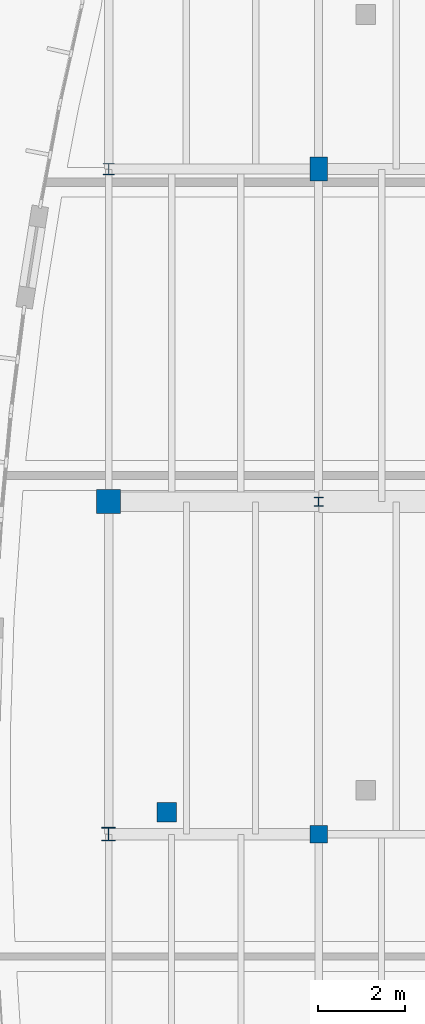
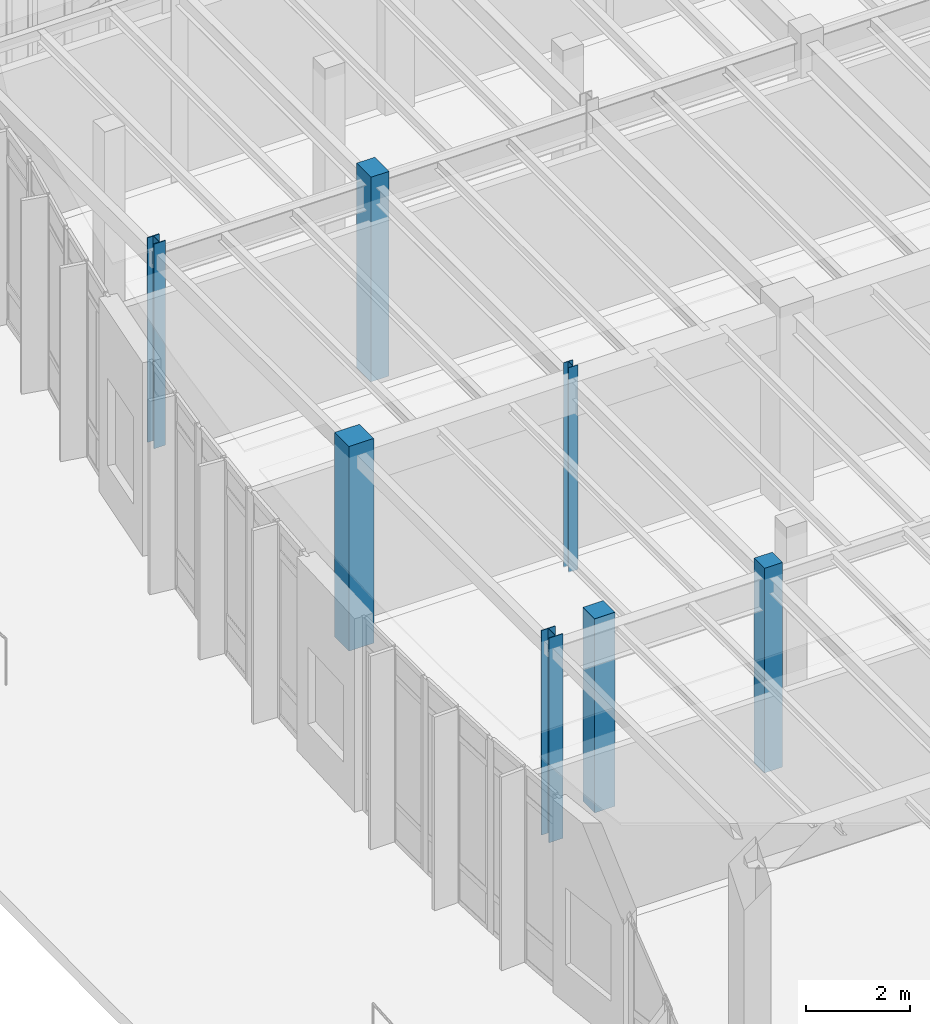
# One storey, part 13 of 120: 7 columns.
"""IFC4 building model written with IfcOpenShell, lengths in metres."""

from ifc_helpers import new_model, si_unit, direction, frame, origin, origin_2d, place, context, subcontext, project, spatial, rectangle, i_section, extrude, material, material_profile, profile_set, type_object, element, save


model = new_model("IFC4")

# Units and contexts
model_context = context("Model", 3, precision=1e-05, world=origin(), true_north=direction((0.0, 1.0)))
body_context = subcontext(model_context, "Body", "Model", "MODEL_VIEW")
ifc_project = project(units=[si_unit("LENGTHUNIT", "METRE"), si_unit("AREAUNIT", "SQUARE_METRE"), si_unit("VOLUMEUNIT", "CUBIC_METRE"), si_unit("PLANEANGLEUNIT", "RADIAN"), si_unit("MASSUNIT", "GRAM", prefix="KILO")], contexts=[model_context])

# Site, building, storey
site_placement = place(None, origin())
site = spatial("IfcSite", under=ifc_project, at=site_placement, CompositionType="ELEMENT")
building_placement = place(site_placement, origin())
building = spatial("IfcBuilding", under=site, at=building_placement, Name="Corveleigh Park Community Centre", CompositionType="ELEMENT")
storey_placement = place(building_placement, origin())
storey = spatial("IfcBuildingStorey", under=building, at=storey_placement, Name="L00", CompositionType="ELEMENT", Elevation=0.0)

# Columns
ifc_material_1 = material(Name="Concrete C40/50", Category="concrete")
ifc_material_profile_1 = material_profile(ifc_material_1, rectangle(XDim=0.39990234375, YDim=0.39990234375, at=origin_2d()), Name="RC-400x400", Category="concrete")
ifc_profile_set_1 = profile_set([ifc_material_profile_1], Name="Concrete C40/50")
column_type_1 = type_object("IfcColumnType", Name="COL-RC-400x400", PredefinedType="COLUMN", material=ifc_profile_set_1)
column_1_placement = place(storey_placement, frame((134.60009765625, 81.39990234375, 0.0), z_axis=(0.0, 0.0, 1.0), x_axis=(1.0, 0.0, 0.0)))
element("IfcColumn", 1, at=column_1_placement, inside=storey, type_object=column_type_1, Name="Column V4-X1Y3 L00", PredefinedType="COLUMN", context=body_context, shape_type="SweptSolid", body=[
    extrude(rectangle(XDim=0.39990234375, YDim=0.39990234375, at=origin_2d()), origin(), (0.0, 0.0, 1.0), 4.800048828125),
])
ifc_material_profile_2 = material_profile(ifc_material_1, rectangle(XDim=0.39990234375, YDim=0.550048828125, at=origin_2d()), Name="RC-400x550", Category="concrete")
ifc_profile_set_2 = profile_set([ifc_material_profile_2], Name="Concrete C40/50")
column_type_2 = type_object("IfcColumnType", Name="COL-RC-400x550", PredefinedType="COLUMN", material=ifc_profile_set_2)
column_2_placement = place(storey_placement, frame((134.60009765625, 96.60009765625, 0.0), z_axis=(0.0, 0.0, 1.0), x_axis=(1.0, 0.0, 0.0)))
element("IfcColumn", 2, at=column_2_placement, inside=storey, type_object=column_type_2, Name="Column V4-X1Y5 L00", PredefinedType="COLUMN", context=body_context, shape_type="SweptSolid", body=[
    extrude(rectangle(XDim=0.39990234375, YDim=0.550048828125, at=origin_2d()), origin(), (0.0, 0.0, 1.0), 4.800048828125),
])
ifc_material_profile_3 = material_profile(ifc_material_1, rectangle(XDim=0.449951171875, YDim=0.449951171875, at=origin_2d()), Name="RC-450x450", Category="concrete")
ifc_profile_set_3 = profile_set([ifc_material_profile_3], Name="Concrete C40/50")
column_type_3 = type_object("IfcColumnType", Name="COL-RC-450x450", PredefinedType="COLUMN", material=ifc_profile_set_3)
column_3_placement = place(storey_placement, frame((131.12890625, 81.89990234375, 0.0), z_axis=(0.0, 0.0, 1.0), x_axis=(1.0, 0.0, 0.0)))
element("IfcColumn", 3, at=column_3_placement, inside=storey, type_object=column_type_3, Name="External deck support pier 125 L00", PredefinedType="COLUMN", context=body_context, shape_type="SweptSolid", body=[
    extrude(rectangle(XDim=0.449951171875, YDim=0.449951171875, at=origin_2d()), origin(), (0.0, 0.0, 1.0), 4.552978515625),
])
ifc_material_profile_4 = material_profile(ifc_material_1, rectangle(XDim=0.550048828125, YDim=0.550048828125, at=origin_2d()), Name="RC-550x550", Category="concrete")
ifc_profile_set_4 = profile_set([ifc_material_profile_4], Name="Concrete C40/50")
column_type_4 = type_object("IfcColumnType", Name="COL-RC-550x550", PredefinedType="COLUMN", material=ifc_profile_set_4)
column_4_placement = place(storey_placement, frame((129.800048828125, 89.0, 0.0), z_axis=(0.0, 0.0, 1.0), x_axis=(1.0, 0.0, 0.0)))
element("IfcColumn", 4, at=column_4_placement, inside=storey, type_object=column_type_4, Name="Column V4-X0Y4 L00", PredefinedType="COLUMN", context=body_context, shape_type="SweptSolid", body=[
    extrude(rectangle(XDim=0.550048828125, YDim=0.550048828125, at=origin_2d()), origin(), (0.0, 0.0, 1.0), 4.800048828125),
])
ifc_material_2 = material(Name="Steel S355", Category="steel")
ifc_material_profile_5 = material_profile(ifc_material_2, i_section(OverallWidth=0.20361328125, OverallDepth=0.203125, WebThickness=0.007080078125, FlangeThickness=0.010986328125, at=origin_2d()), Name="UKC 203x203x46", Category="steel")
ifc_profile_set_5 = profile_set([ifc_material_profile_5], Name="Steel S355")
column_type_5 = type_object("IfcColumnType", Name="COL-STL-UKC203x46", PredefinedType="COLUMN", material=ifc_profile_set_5)
column_5_placement = place(storey_placement, frame((134.60009765625, 89.0, 0.0), z_axis=(0.0, 0.0, 1.0), x_axis=(1.0, 0.0, 0.0)))
element("IfcColumn", 5, at=column_5_placement, inside=storey, type_object=column_type_5, Name="Column V4-X1Y4 L00", PredefinedType="COLUMN", context=body_context, shape_type="SweptSolid", body=[
    extrude(i_section(OverallWidth=0.20361328125, OverallDepth=0.203125, WebThickness=0.007080078125, FlangeThickness=0.010986328125, at=origin_2d()), origin(), (0.0, 0.0, 1.0), 4.800048828125),
])
ifc_material_profile_6 = material_profile(ifc_material_2, i_section(OverallWidth=0.2587890625, OverallDepth=0.2666015625, WebThickness=0.0126953125, FlangeThickness=0.0205078125, at=origin_2d()), Name="UKC 254x254x107", Category="steel")
ifc_profile_set_6 = profile_set([ifc_material_profile_6], Name="Steel S355")
column_type_6 = type_object("IfcColumnType", Name="COL-STL-UKC254x107", PredefinedType="COLUMN", material=ifc_profile_set_6)
column_6_placement = place(storey_placement, frame((129.800048828125, 96.60009765625, 0.0), z_axis=(0.0, 0.0, 1.0), x_axis=(1.0, 0.0, 0.0)))
element("IfcColumn", 6, at=column_6_placement, inside=storey, type_object=column_type_6, Name="Column V4-X0Y5 L00", PredefinedType="COLUMN", context=body_context, shape_type="SweptSolid", body=[
    extrude(i_section(OverallWidth=0.2587890625, OverallDepth=0.2666015625, WebThickness=0.0126953125, FlangeThickness=0.0205078125, at=origin_2d()), origin(), (0.0, 0.0, 1.0), 4.800048828125),
])
ifc_material_profile_7 = material_profile(ifc_material_2, i_section(OverallWidth=0.305419921875, OverallDepth=0.307861328125, WebThickness=0.010009765625, FlangeThickness=0.015380859375, at=origin_2d()), Name="UKC 305x305x97", Category="steel")
ifc_profile_set_7 = profile_set([ifc_material_profile_7], Name="Steel S355")
column_type_7 = type_object("IfcColumnType", Name="COL-STL-UKC305x97", PredefinedType="COLUMN", material=ifc_profile_set_7)
column_7_placement = place(storey_placement, frame((129.800048828125, 81.39990234375, 0.0), z_axis=(0.0, 0.0, 1.0), x_axis=(1.0, 0.0, 0.0)))
element("IfcColumn", 7, at=column_7_placement, inside=storey, type_object=column_type_7, Name="Column V4-X0Y3 L00", PredefinedType="COLUMN", context=body_context, shape_type="SweptSolid", body=[
    extrude(i_section(OverallWidth=0.305419921875, OverallDepth=0.307861328125, WebThickness=0.010009765625, FlangeThickness=0.015380859375, at=origin_2d()), origin(), (0.0, 0.0, 1.0), 4.800048828125),
])

save(model, "model.ifc")
